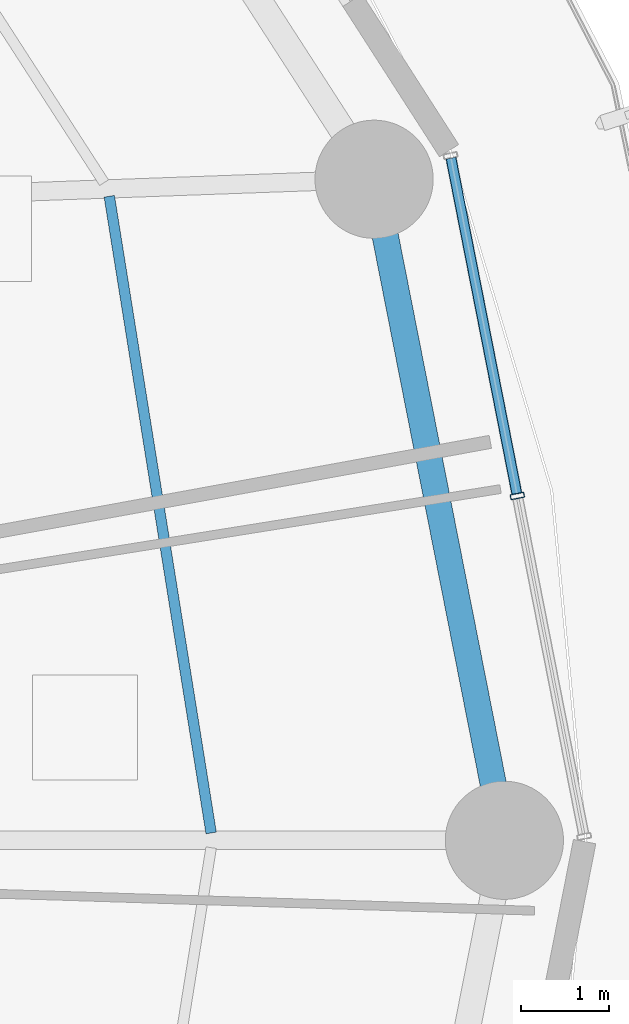
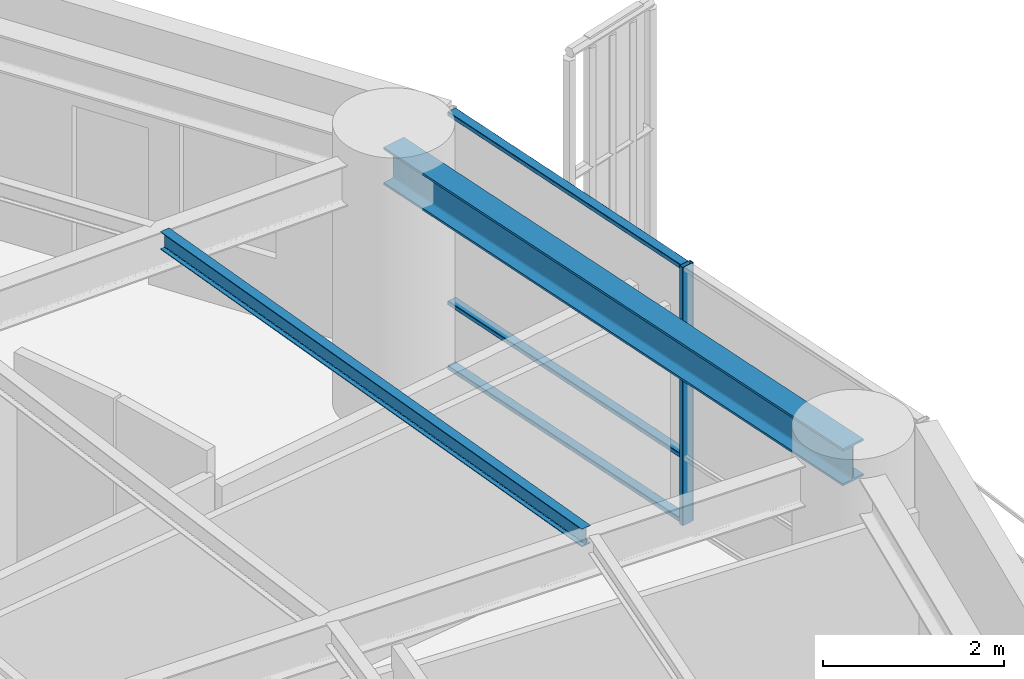
# One storey, part 14 of 33: 4 members, 2 beams, 1 element without a shape of its own.
"""IFC4 building model written with IfcOpenShell, lengths in metres."""

from ifc_helpers import new_model, si_unit, direction, frame, origin, origin_2d, place, context, subcontext, project, spatial, hollow_rectangle, i_section, extrude, material, layer, layer_set, material_profile, profile_set, type_object, element, aggregate, save


model = new_model("IFC4")

# Units and contexts
model_context = context("Model", 3, precision=1e-05, world=origin(), true_north=direction((0.0, 1.0)))
body_context = subcontext(model_context, "Body", "Model", "MODEL_VIEW")
ifc_project = project(units=[si_unit("LENGTHUNIT", "METRE"), si_unit("AREAUNIT", "SQUARE_METRE"), si_unit("VOLUMEUNIT", "CUBIC_METRE"), si_unit("PLANEANGLEUNIT", "RADIAN"), si_unit("MASSUNIT", "GRAM", prefix="KILO")], contexts=[model_context])

# Site, building, storey
site_placement = place(None, origin())
site = spatial("IfcSite", under=ifc_project, at=site_placement, CompositionType="ELEMENT")
building_placement = place(site_placement, origin())
building = spatial("IfcBuilding", under=site, at=building_placement, Name="Kelanora Arch Commons", CompositionType="ELEMENT")
storey_placement = place(building_placement, frame((0.0, 0.0, 83.85009765625)))
storey = spatial("IfcBuildingStorey", under=building, at=storey_placement, Name="L21", CompositionType="ELEMENT", Elevation=83.85009765625)

# Beams
ifc_material_1 = material(Name="Steel S355", Category="steel")
ifc_material_profile_1 = material_profile(ifc_material_1, i_section(OverallWidth=0.1201171875, OverallDepth=0.239990234375, WebThickness=0.006103515625, FlangeThickness=0.009765625, FilletRadius=0.014892578125, at=origin_2d()), Name="IPE240")
ifc_profile_set_1 = profile_set([ifc_material_profile_1], Name="Steel S355")
beam_type_1 = type_object("IfcBeamType", Name="BM-JST-02", PredefinedType="JOIST", material=ifc_profile_set_1)
beam_1_placement = place(storey_placement, frame((95.33056640625, 58.083984375, 3.369873046875), z_axis=(-0.157999549894, 0.987439184068, 0.0), x_axis=(-0.987439184068, -0.157999549894, 0.0)))
element("IfcBeam", 1, at=beam_1_placement, inside=storey, type_object=beam_type_1, Name="Secondary Chord Joist BJC-00 L21", PredefinedType="JOIST", context=body_context, shape_type="SweptSolid", body=[
    extrude(i_section(OverallWidth=0.1201171875, OverallDepth=0.239990234375, WebThickness=0.006103515625, FlangeThickness=0.009765625, FilletRadius=0.014892578125, at=origin_2d()), origin(), (0.0, 0.0, 1.0), 7.365966796875),
])
ifc_material_profile_2 = material_profile(ifc_material_1, i_section(OverallWidth=0.300048828125, OverallDepth=0.5, WebThickness=0.014404296875, FlangeThickness=0.028076171875, FilletRadius=0.027099609375, at=origin_2d()), Name="HEB500")
ifc_profile_set_2 = profile_set([ifc_material_profile_2], Name="Steel S355")
beam_type_2 = type_object("IfcBeamType", Name="BM-SPN-Z2", PredefinedType="SPANDREL", material=ifc_profile_set_2)
beam_2_placement = place(storey_placement, frame((98.679931640625, 58.0, 3.239990234375), z_axis=(-0.19335825777, 0.981128220037, 0.0), x_axis=(-0.981128220037, -0.19335825777, 0.0)))
element("IfcBeam", 2, at=beam_2_placement, inside=storey, type_object=beam_type_2, Name="Perimeter Spandrel Beam BS-00 L21", PredefinedType="SPANDREL", context=body_context, shape_type="SweptSolid", body=[
    extrude(i_section(OverallWidth=0.300048828125, OverallDepth=0.5, WebThickness=0.014404296875, FlangeThickness=0.028076171875, FilletRadius=0.027099609375, at=origin_2d()), origin(), (0.0, 0.0, 1.0), 7.697021484375),
])

# Curtain wall, members
ifc_material_2 = material(Name="Terracotta ceramic-fritted low-E glass and aluminium", Category="masonry")
ifc_layer = layer(ifc_material_2, 0.159912109375)
ifc_layer_set = layer_set([ifc_layer], Name="Terracotta ceramic-fritted low-E glass and aluminium")
curtain_wall_type = type_object("IfcCurtainWallType", Name="CW-SYS-01", PredefinedType="NOTDEFINED", material=ifc_layer_set)
curtain_wall_placement = place(storey_placement, origin())
curtain_wall = element("IfcCurtainWall", 3, at=curtain_wall_placement, inside=storey, type_object=curtain_wall_type, Name="Unitised Curtain Wall L21-B00", PredefinedType="NOTDEFINED")
ifc_material_3 = material(Name="Powder-coated aluminium terracotta", Category="masonry")
ifc_material_profile_3 = material_profile(ifc_material_3, hollow_rectangle(XDim=0.159912109375, YDim=0.06005859375, WallThickness=0.0048828125, InnerFilletRadius=0.0048828125, OuterFilletRadius=0.010009765625, at=origin_2d()), Name="CWM160x60")
ifc_profile_set_3 = profile_set([ifc_material_profile_3], Name="Powder-coated aluminium terracotta")
member_type_1 = type_object("IfcMemberType", Name="CWM-STD", PredefinedType="MULLION", material=ifc_profile_set_3)
member_1_placement = place(storey_placement, frame((98.828125, 61.933349609375, 0.0), z_axis=(0.0, 0.0, 1.0), x_axis=(-0.981280311646, -0.192584916272, 0.0)))
member_1 = element("IfcMember", 4, at=member_1_placement, type_object=member_type_1, Name="CW-01 mullion 2", PredefinedType="MULLION", context=body_context, shape_type="SweptSolid", body=[
    extrude(hollow_rectangle(XDim=0.159912109375, YDim=0.06005859375, WallThickness=0.0048828125, InnerFilletRadius=0.0048828125, OuterFilletRadius=0.010009765625, at=origin_2d()), origin(), (0.0, 0.0, 1.0), 3.474853515625),
])
ifc_material_profile_4 = material_profile(ifc_material_3, hollow_rectangle(XDim=0.1201171875, YDim=0.06005859375, WallThickness=0.0048828125, InnerFilletRadius=0.0048828125, OuterFilletRadius=0.010009765625, at=origin_2d()), Name="CWT120x60")
ifc_profile_set_4 = profile_set([ifc_material_profile_4], Name="Powder-coated aluminium terracotta")
member_type_2 = type_object("IfcMemberType", Name="CWT-STD", PredefinedType="USERDEFINED", material=ifc_profile_set_4)
member_2_placement = place(storey_placement, frame((98.822265625, 61.962646484375, 0.02978515625), z_axis=(-0.192578614785, 0.981281548348, 0.0), x_axis=(-0.981281548348, -0.192578614785, 0.0)))
member_2 = element("IfcMember", 5, at=member_2_placement, type_object=member_type_2, Name="CW-01 transom 2.1", ObjectType="TRANSOM", PredefinedType="USERDEFINED", context=body_context, shape_type="SweptSolid", body=[
    extrude(hollow_rectangle(XDim=0.1201171875, YDim=0.06005859375, WallThickness=0.0048828125, InnerFilletRadius=0.0048828125, OuterFilletRadius=0.010009765625, at=origin_2d()), origin(), (0.0, 0.0, 1.0), 3.9033203125),
])
member_3_placement = place(storey_placement, frame((98.822265625, 61.962646484375, 0.89990234375), z_axis=(-0.192578614785, 0.981281548348, 0.0), x_axis=(-0.981281548348, -0.192578614785, 0.0)))
member_3 = element("IfcMember", 6, at=member_3_placement, type_object=member_type_2, Name="CW-01 transom 2.2", ObjectType="TRANSOM", PredefinedType="USERDEFINED", context=body_context, shape_type="SweptSolid", body=[
    extrude(hollow_rectangle(XDim=0.1201171875, YDim=0.06005859375, WallThickness=0.0048828125, InnerFilletRadius=0.0048828125, OuterFilletRadius=0.010009765625, at=origin_2d()), origin(), (0.0, 0.0, 1.0), 3.9033203125),
])
member_4_placement = place(storey_placement, frame((98.822265625, 61.962646484375, 3.44482421875), z_axis=(-0.192578614785, 0.981281548348, 0.0), x_axis=(-0.981281548348, -0.192578614785, 0.0)))
member_4 = element("IfcMember", 7, at=member_4_placement, type_object=member_type_2, Name="CW-01 transom 2.3", ObjectType="TRANSOM", PredefinedType="USERDEFINED", context=body_context, shape_type="SweptSolid", body=[
    extrude(hollow_rectangle(XDim=0.1201171875, YDim=0.06005859375, WallThickness=0.0048828125, InnerFilletRadius=0.0048828125, OuterFilletRadius=0.010009765625, at=origin_2d()), origin(), (0.0, 0.0, 1.0), 3.9033203125),
])
aggregate(curtain_wall, [member_1, member_2, member_3, member_4])

save(model, "model.ifc")
